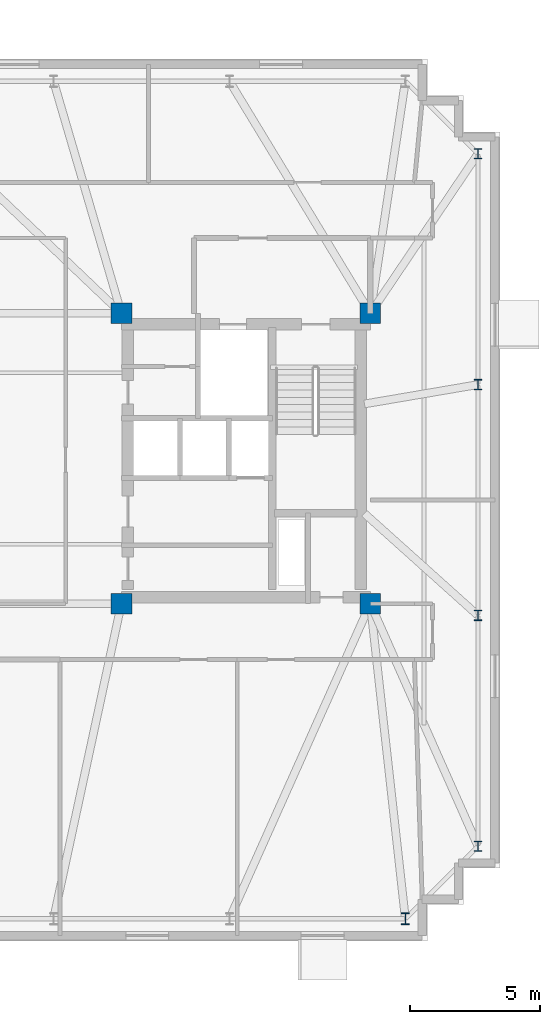
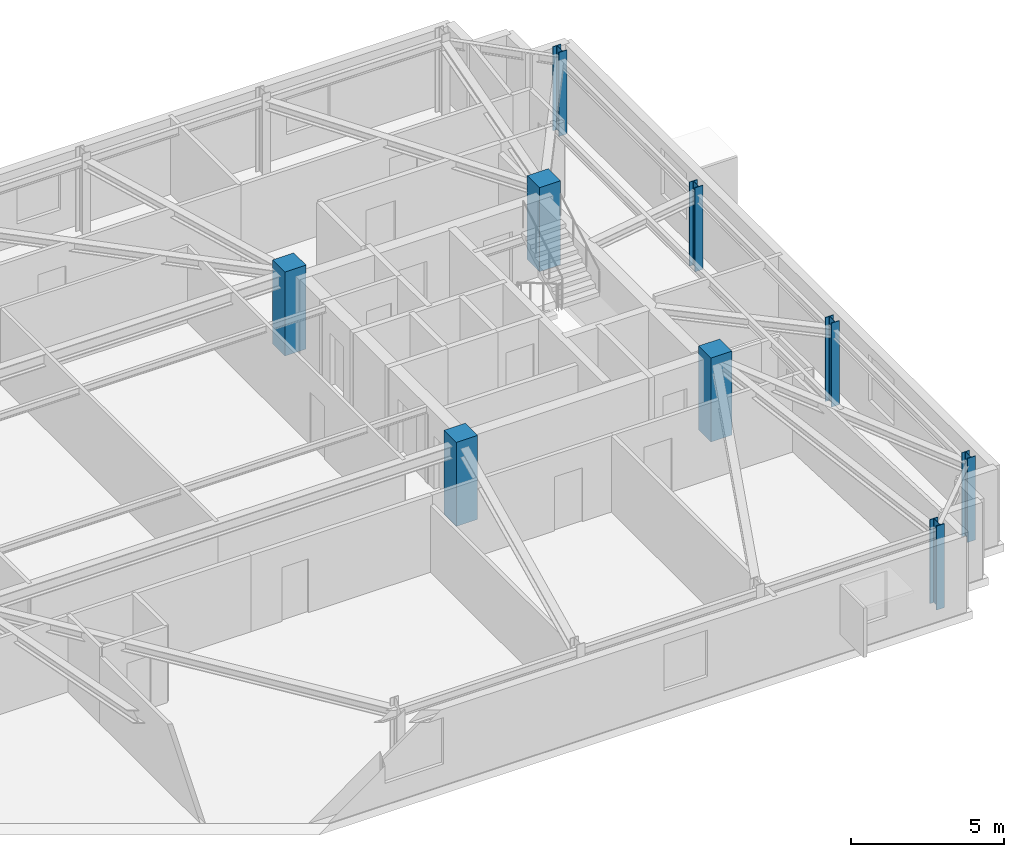
# One storey, part 2 of 10: 9 columns.
"""IFC4 building model written with IfcOpenShell, lengths in metres."""

import ifcopenshell
import ifcopenshell.guid

model = None  # the IFC model being written
_history = None  # IfcOwnerHistory: only IFC2X3 demands one
_inside = {}  # id of a spatial element -> (the spatial element, [elements in it])
_under = {}  # id of a project, library or spatial element -> (it, [spatial elements below it])
_declared = {}  # id of a project -> (the project, [libraries it declares])
_typed = {}  # id of a type object -> (the type object, [elements of that type])
_made_of = {}  # id of a material, layer set ... -> (it, [elements and type objects made of it])


def new_model(schema):
    """Start an empty IFC model of exactly this schema.

    Asked for "IFC4X3", IfcOpenShell would pick the latest addendum, in which some entities
    have other attributes; the version numbers below select the first issue.
    IFC2X3 requires an IfcOwnerHistory on every rooted entity: one is made here for all.
    """
    global model, _history
    if schema == "IFC4X3":
        model = ifcopenshell.file(schema_version=(4, 3, 0, 0))
    else:
        model = ifcopenshell.file(schema=schema)
    _inside.clear()
    _under.clear()
    _declared.clear()
    _typed.clear()
    _made_of.clear()
    _history = None
    if model.schema == "IFC2X3":
        org = make("IfcOrganization", Name="unknown")
        user = make(
            "IfcPersonAndOrganization",
            ThePerson=make("IfcPerson", FamilyName="unknown"),
            TheOrganization=org,
        )
        app = make(
            "IfcApplication",
            ApplicationDeveloper=org,
            Version="unknown",
            ApplicationFullName="unknown",
            ApplicationIdentifier="unknown",
        )
        _history = make(
            "IfcOwnerHistory",
            OwningUser=user,
            OwningApplication=app,
            ChangeAction="ADDED",
            CreationDate=0,
        )
    return model


def make(cls, **values):
    """One entity of the class cls with the attributes given. An attribute that is None is left unset."""
    return model.create_entity(
        cls, **{name: value for name, value in values.items() if value is not None}
    )


def rooted(cls, **values):
    """An entity with a GlobalId (a new one), such as an element, a storey or a relation."""
    return make(cls, GlobalId=ifcopenshell.guid.new(), OwnerHistory=_history, **values)


def si_unit(unit_type, name, prefix=None):
    """IfcSIUnit, for example si_unit("LENGTHUNIT", "METRE", prefix="MILLI")."""
    return make("IfcSIUnit", UnitType=unit_type, Prefix=prefix, Name=name)


def assignment(units):
    """IfcUnitAssignment: the units of a project."""
    return None if units is None else make("IfcUnitAssignment", Units=units)


def point(xyz):
    """IfcCartesianPoint."""
    return None if xyz is None else make("IfcCartesianPoint", Coordinates=xyz)


def direction(xyz):
    """IfcDirection."""
    return None if xyz is None else make("IfcDirection", DirectionRatios=xyz)


def frame(location, z_axis=None, x_axis=None):
    """IfcAxis2Placement3D, a coordinate frame: its origin and axes. An axis left out is left unset."""
    return make(
        "IfcAxis2Placement3D",
        Location=point(location),
        Axis=direction(z_axis),
        RefDirection=direction(x_axis),
    )


def frame_2d(location, x_axis=None):
    """IfcAxis2Placement2D, a coordinate frame in the plane: its origin and x axis."""
    return make(
        "IfcAxis2Placement2D", Location=point(location), RefDirection=direction(x_axis)
    )


def origin():
    """The frame at (0, 0, 0) with its axes left unset."""
    return frame((0.0, 0.0, 0.0))


def origin_2d():
    """The frame at (0, 0) in the plane with its x axis left unset."""
    return frame_2d((0.0, 0.0))


def place(relative_to, where):
    """IfcLocalPlacement: puts the frame where relative to a parent placement (None: the world)."""
    return make(
        "IfcLocalPlacement", PlacementRelTo=relative_to, RelativePlacement=where
    )


def context(
    kind, dimensions, precision=None, world=None, true_north=None, identifier=None
):
    """IfcGeometricRepresentationContext, for example the 3D "Model" context."""
    return make(
        "IfcGeometricRepresentationContext",
        ContextIdentifier=identifier,
        ContextType=kind,
        CoordinateSpaceDimension=dimensions,
        Precision=precision,
        WorldCoordinateSystem=world,
        TrueNorth=true_north,
    )


def subcontext(parent, identifier, kind, view, scale=None):
    """IfcGeometricRepresentationSubContext, for example "Body" below "Model"."""
    return make(
        "IfcGeometricRepresentationSubContext",
        ContextIdentifier=identifier,
        ContextType=kind,
        ParentContext=parent,
        TargetScale=scale,
        TargetView=view,
    )


def project(units=None, contexts=None):
    """IfcProject with its units and contexts."""
    return rooted(
        "IfcProject",
        Name="project",
        RepresentationContexts=contexts,
        UnitsInContext=assignment(units),
    )


def spatial(cls, under=None, at=None, **own):
    """A site, building, storey or space (cls), placed at a placement, below another one or the project."""
    s = rooted(cls, ObjectPlacement=at, **own)
    if under is not None:
        _under.setdefault(under.id(), (under, []))[1].append(s)
    return s


def profile(cls, at=None, kind="AREA", **sizes):
    """A parametric profile (cls). Its sizes go by their IFC names, for example OverallWidth=200.0."""
    return make(cls, ProfileType=kind, Position=at, **sizes)


def rectangle(**sizes):
    """IfcRectangleProfileDef."""
    return profile("IfcRectangleProfileDef", **sizes)


def i_section(**sizes):
    """IfcIShapeProfileDef."""
    return profile("IfcIShapeProfileDef", **sizes)


def extrude(swept, where, along, depth):
    """IfcExtrudedAreaSolid: the profile swept, set in the frame where, extruded along a direction by depth."""
    return make(
        "IfcExtrudedAreaSolid",
        SweptArea=swept,
        Position=where,
        ExtrudedDirection=direction(along),
        Depth=depth,
    )


def shape(context_of_items, identifier, shape_type, items):
    """IfcShapeRepresentation: the items that make up one representation, for example the "Body"."""
    return make(
        "IfcShapeRepresentation",
        ContextOfItems=context_of_items,
        RepresentationIdentifier=identifier,
        RepresentationType=shape_type,
        Items=items,
    )


def material(Name=None, Category=None):
    """IfcMaterial."""
    return make("IfcMaterial", Name=Name, Category=Category)


def material_profile(
    of_material, cross_section, Name=None, Category=None, Priority=None
):
    """IfcMaterialProfile: a cross section and its material."""
    return make(
        "IfcMaterialProfile",
        Name=Name,
        Material=of_material,
        Profile=cross_section,
        Priority=Priority,
        Category=Category,
    )


def profile_set(profiles, Name=None, composite=None):
    """IfcMaterialProfileSet."""
    return make(
        "IfcMaterialProfileSet",
        Name=Name,
        MaterialProfiles=profiles,
        CompositeProfile=composite,
    )


def made_of(thing, what):
    """Note that an element or type object is made of a material, layer set ...; save() writes the relation."""
    if what is not None:
        _made_of.setdefault(what.id(), (what, []))[1].append(thing)
    return thing


def type_object(cls, material=None, **own):
    """A type object (cls), such as IfcWallType, which elements share."""
    return made_of(rooted(cls, **own), material)


def element(
    cls,
    number,
    at=None,
    inside=None,
    cuts=None,
    type_object=None,
    material=None,
    context=None,
    identifier="Body",
    shape_type=None,
    held_by="IfcProductDefinitionShape",
    body=None,
    shapes=None,
    **own,
):
    """One element of the class cls, such as IfcWall. Its Tag is "e" and its number.

    at: its placement. inside: the storey or other place that contains it. cuts: it is an
    opening in that element (IfcRelVoidsElement). A single representation is given by context,
    identifier, shape_type and body (its items); several are given by shapes. held_by: the class
    of the entity that holds the representations. save() writes the other relations.
    """
    e = rooted(cls, Tag="e%d" % number, ObjectPlacement=at, **own)
    if body is not None:
        shapes = [shape(context, identifier, shape_type, body)]
    if shapes is not None:
        e.Representation = make(held_by, Representations=shapes)
    if inside is not None:
        _inside.setdefault(inside.id(), (inside, []))[1].append(e)
    if cuts is not None:
        rooted(
            "IfcRelVoidsElement", RelatingBuildingElement=cuts, RelatedOpeningElement=e
        )
    if type_object is not None:
        _typed.setdefault(type_object.id(), (type_object, []))[1].append(e)
    return made_of(e, material)


def aggregate(whole, parts):
    """IfcRelAggregates: a whole, such as a stair, and the parts it consists of."""
    return rooted("IfcRelAggregates", RelatingObject=whole, RelatedObjects=parts)


def save(model, path):
    """Write the relations noted so far, then the file.

    IfcRelAggregates (storeys below a building ...), IfcRelContainedInSpatialStructure (elements
    in a storey), IfcRelDefinesByType, IfcRelAssociatesMaterial and IfcRelDeclares: one each for
    every whole, place, type object, material and project.
    """
    for whole, parts in _under.values():
        aggregate(whole, parts)
    for where, things in _inside.values():
        rooted(
            "IfcRelContainedInSpatialStructure",
            RelatedElements=things,
            RelatingStructure=where,
        )
    for kind, things in _typed.values():
        rooted("IfcRelDefinesByType", RelatedObjects=things, RelatingType=kind)
    for what, things in _made_of.values():
        rooted("IfcRelAssociatesMaterial", RelatedObjects=things, RelatingMaterial=what)
    for by, libraries in _declared.values():
        rooted("IfcRelDeclares", RelatingContext=by, RelatedDefinitions=libraries)
    model.write(path)


model = new_model("IFC4")

# Units and contexts
model_context = context("Model", 3, precision=1e-05, world=origin(), true_north=direction((0.0, 1.0)))
body_context = subcontext(model_context, "Body", "Model", "MODEL_VIEW")
ifc_project = project(units=[si_unit("LENGTHUNIT", "METRE"), si_unit("AREAUNIT", "SQUARE_METRE"), si_unit("VOLUMEUNIT", "CUBIC_METRE"), si_unit("PLANEANGLEUNIT", "RADIAN"), si_unit("MASSUNIT", "GRAM", prefix="KILO")], contexts=[model_context])

# Site, building, storey
site_placement = place(None, origin())
site = spatial("IfcSite", under=ifc_project, at=site_placement, CompositionType="ELEMENT")
building_placement = place(site_placement, origin())
building = spatial("IfcBuilding", under=site, at=building_placement, Name="Qobustan Lattice House", CompositionType="ELEMENT")
storey_placement = place(building_placement, frame((0.0, 0.0, 238.35009765625)))
storey = spatial("IfcBuildingStorey", under=building, at=storey_placement, Name="L67", CompositionType="ELEMENT", Elevation=238.35009765625)

# Columns
ifc_material_1 = material(Name="Concrete C50/60", Category="concrete")
ifc_material_profile_1 = material_profile(ifc_material_1, rectangle(XDim=0.800048828125, YDim=0.800048828125, at=origin_2d()), Name="RC800x800")
ifc_profile_set_1 = profile_set([ifc_material_profile_1], Name="Concrete C50/60")
column_type_1 = type_object("IfcColumnType", Name="COL-RC-800", PredefinedType="COLUMN", material=ifc_profile_set_1)
for number, where, z_axis, x_axis, name in (
    (1, (9.199951171875, -5.60009765625, 0.0), (0.0, 0.0, 1.0), (1.0, 0.0, 0.0), "L67 core mega-column CE-SW"),
    (2, (9.199951171875, 5.60009765625, 0.0), (0.0, 0.0, 1.0), (1.0, 0.0, 0.0), "L67 core mega-column CE-NW"),
    (3, (18.800048828125, -5.60009765625, 0.0), (0.0, 0.0, 1.0), (1.0, 0.0, 0.0), "L67 core mega-column CE-SE"),
    (4, (18.800048828125, 5.60009765625, 0.0), (0.0, 0.0, 1.0), (1.0, 0.0, 0.0), "L67 core mega-column CE-NE"),
):
    element("IfcColumn", number, at=place(storey_placement, frame(where, z_axis=z_axis, x_axis=x_axis)), inside=storey, type_object=column_type_1, Name=name, PredefinedType="COLUMN", context=body_context, shape_type="SweptSolid", body=[
        extrude(rectangle(XDim=0.800048828125, YDim=0.800048828125, at=origin_2d()), origin(), (0.0, 0.0, 1.0), 3.349853515625),
    ])
ifc_material_2 = material(Name="Steel S355", Category="steel")
ifc_material_profile_2 = material_profile(ifc_material_2, i_section(OverallWidth=0.300048828125, OverallDepth=0.39990234375, WebThickness=0.013427734375, FlangeThickness=0.02392578125, FilletRadius=0.027099609375, at=origin_2d()), Name="HEB400")
ifc_profile_set_2 = profile_set([ifc_material_profile_2], Name="Steel S355")
column_type_2 = type_object("IfcColumnType", Name="COL-ST-HEB400", PredefinedType="COLUMN", material=ifc_profile_set_2)
for number, where, z_axis, x_axis, name in (
    (5, (22.949951171875, -14.949951171875, 0.0), (0.0, 0.0, 1.0), (1.0, 0.0, 0.0), "L67 B5 perimeter column E1"),
    (6, (22.949951171875, -6.050048828125, 0.0), (0.0, 0.0, 1.0), (1.0, 0.0, 0.0), "L67 B5 perimeter column E2"),
    (7, (22.949951171875, 2.85009765625, 0.0), (0.0, 0.0, 1.0), (1.0, 0.0, 0.0), "L67 B5 perimeter column E3"),
    (8, (22.949951171875, 11.75, 0.0), (0.0, 0.0, 1.0), (1.0, 0.0, 0.0), "L67 B5 perimeter column E4"),
):
    element("IfcColumn", number, at=place(storey_placement, frame(where, z_axis=z_axis, x_axis=x_axis)), inside=storey, type_object=column_type_2, Name=name, PredefinedType="COLUMN", context=body_context, shape_type="SweptSolid", body=[
        extrude(i_section(OverallWidth=0.300048828125, OverallDepth=0.39990234375, WebThickness=0.013427734375, FlangeThickness=0.02392578125, FilletRadius=0.027099609375, at=origin_2d()), origin(), (0.0, 0.0, 1.0), 3.349853515625),
    ])
ifc_material_3 = material(Name="Steel S355", Category="steel")
ifc_material_profile_3 = material_profile(ifc_material_3, i_section(OverallWidth=0.300048828125, OverallDepth=0.449951171875, WebThickness=0.013916015625, FlangeThickness=0.02587890625, FilletRadius=0.027099609375, at=origin_2d()), Name="HEB450")
ifc_profile_set_3 = profile_set([ifc_material_profile_3], Name="Steel S355")
column_type_3 = type_object("IfcColumnType", Name="COL-ST-HEB450", PredefinedType="COLUMN", material=ifc_profile_set_3)
column_placement = place(storey_placement, frame((20.14990234375, -17.75, 0.0), z_axis=(0.0, 0.0, 1.0), x_axis=(1.0, 0.0, 0.0)))
element("IfcColumn", 9, at=column_placement, inside=storey, type_object=column_type_3, Name="L67 B5 perimeter column S7", PredefinedType="COLUMN", context=body_context, shape_type="SweptSolid", body=[
    extrude(i_section(OverallWidth=0.300048828125, OverallDepth=0.449951171875, WebThickness=0.013916015625, FlangeThickness=0.02587890625, FilletRadius=0.027099609375, at=origin_2d()), origin(), (0.0, 0.0, 1.0), 3.349853515625),
])

save(model, "model.ifc")
